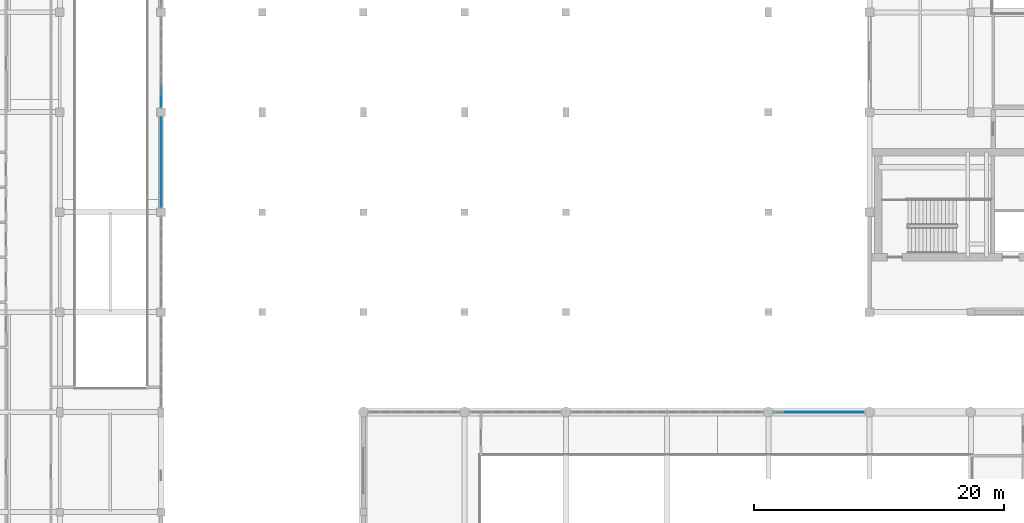
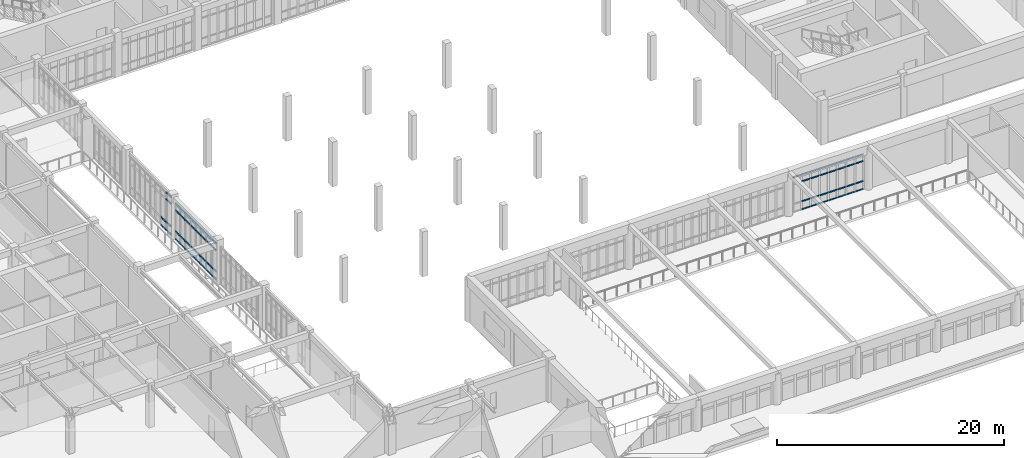
# One storey, part 22 of 61: 67 members, 3 elements without a shape of their own.
"""IFC4 building model written with IfcOpenShell, lengths in metres."""

from ifc_helpers import new_model, si_unit, direction, frame, origin, origin_2d, place, context, subcontext, project, spatial, rectangle, extrude, material, material_profile, profile_set, type_object, element, aggregate, save


model = new_model("IFC4")

# Units and contexts
model_context = context("Model", 3, precision=1e-05, world=origin(), true_north=direction((0.0, 1.0)))
body_context = subcontext(model_context, "Body", "Model", "MODEL_VIEW")
ifc_project = project(units=[si_unit("LENGTHUNIT", "METRE"), si_unit("AREAUNIT", "SQUARE_METRE"), si_unit("VOLUMEUNIT", "CUBIC_METRE"), si_unit("PLANEANGLEUNIT", "RADIAN"), si_unit("MASSUNIT", "GRAM", prefix="KILO")], contexts=[model_context])

# Site, building, storey
site_placement = place(None, origin())
site = spatial("IfcSite", under=ifc_project, at=site_placement, CompositionType="ELEMENT")
building_placement = place(site_placement, origin())
building = spatial("IfcBuilding", under=site, at=building_placement, Name="Tarnveldt Square Police Headquarters", CompositionType="ELEMENT")
storey_placement = place(building_placement, frame((0.0, 0.0, 5.39990234375)))
storey = spatial("IfcBuildingStorey", under=building, at=storey_placement, Name="L01", CompositionType="ELEMENT", Elevation=5.39990234375)

# Curtain wall, members
ifc_material_1 = material(Name="Triple-glazed low-e laminated vision glass", Category="glass")
curtain_wall_type_1 = type_object("IfcCurtainWallType", Name="CW-CT-727x379", PredefinedType="USERDEFINED", material=ifc_material_1)
curtain_wall_1_placement = place(storey_placement, origin())
curtain_wall_1 = element("IfcCurtainWall", 1, at=curtain_wall_1_placement, inside=storey, type_object=curtain_wall_type_1, Name="L01 Curtain Wall CW-L01-022", ObjectType="GLAZED CURTAIN WALL", PredefinedType="USERDEFINED")
ifc_material_2 = material(Name="Thermally broken anodised aluminium 6063-T6", Category="aluminium")
ifc_material_profile = material_profile(ifc_material_2, rectangle(XDim=0.074951171875, YDim=0.14990234375, at=origin_2d()), Name="CW-T75x150")
ifc_profile_set = profile_set([ifc_material_profile], Name="Thermally broken anodised aluminium 6063-T6")
member_type = type_object("IfcMemberType", Name="CWT-75x150", PredefinedType="USERDEFINED", material=ifc_profile_set)
member_1_placement = place(storey_placement, frame((97.68994140625, 48.0, 3.754638671875), z_axis=(1.0, 0.0, 0.0), x_axis=(0.0, 1.0, 0.0)))
member_1 = element("IfcMember", 2, at=member_1_placement, type_object=member_type, Name="CW-CT09 transom 1.4", ObjectType="TRANSOM", PredefinedType="USERDEFINED", context=body_context, shape_type="SweptSolid", body=[
    extrude(rectangle(XDim=0.074951171875, YDim=0.14990234375, at=origin_2d()), origin(), (0.0, 0.0, 1.0), 0.79638671875),
])
member_2_placement = place(storey_placement, frame((98.561279296875, 48.0, 0.03759765625), z_axis=(1.0, 0.0, 0.0), x_axis=(0.0, 1.0, 0.0)))
member_2 = element("IfcMember", 3, at=member_2_placement, type_object=member_type, Name="CW-CT09 transom 2.1", ObjectType="TRANSOM", PredefinedType="USERDEFINED", context=body_context, shape_type="SweptSolid", body=[
    extrude(rectangle(XDim=0.074951171875, YDim=0.14990234375, at=origin_2d()), origin(), (0.0, 0.0, 1.0), 0.833740234375),
])
member_3_placement = place(storey_placement, frame((98.561279296875, 48.0, 0.900146484375), z_axis=(1.0, 0.0, 0.0), x_axis=(0.0, 1.0, 0.0)))
member_3 = element("IfcMember", 4, at=member_3_placement, type_object=member_type, Name="CW-CT09 transom 2.2", ObjectType="TRANSOM", PredefinedType="USERDEFINED", context=body_context, shape_type="SweptSolid", body=[
    extrude(rectangle(XDim=0.074951171875, YDim=0.14990234375, at=origin_2d()), origin(), (0.0, 0.0, 1.0), 0.833740234375),
])
member_4_placement = place(storey_placement, frame((98.561279296875, 48.0, 3.0419921875), z_axis=(1.0, 0.0, 0.0), x_axis=(0.0, 1.0, 0.0)))
member_4 = element("IfcMember", 5, at=member_4_placement, type_object=member_type, Name="CW-CT09 transom 2.3", ObjectType="TRANSOM", PredefinedType="USERDEFINED", context=body_context, shape_type="SweptSolid", body=[
    extrude(rectangle(XDim=0.074951171875, YDim=0.14990234375, at=origin_2d()), origin(), (0.0, 0.0, 1.0), 0.833740234375),
])
member_5_placement = place(storey_placement, frame((98.561279296875, 48.0, 3.754638671875), z_axis=(1.0, 0.0, 0.0), x_axis=(0.0, 1.0, 0.0)))
member_5 = element("IfcMember", 6, at=member_5_placement, type_object=member_type, Name="CW-CT09 transom 2.4", ObjectType="TRANSOM", PredefinedType="USERDEFINED", context=body_context, shape_type="SweptSolid", body=[
    extrude(rectangle(XDim=0.074951171875, YDim=0.14990234375, at=origin_2d()), origin(), (0.0, 0.0, 1.0), 0.833740234375),
])
member_6_placement = place(storey_placement, frame((99.469970703125, 48.0, 0.03759765625), z_axis=(1.0, 0.0, 0.0), x_axis=(0.0, 1.0, 0.0)))
member_6 = element("IfcMember", 7, at=member_6_placement, type_object=member_type, Name="CW-CT09 transom 3.1", ObjectType="TRANSOM", PredefinedType="USERDEFINED", context=body_context, shape_type="SweptSolid", body=[
    extrude(rectangle(XDim=0.074951171875, YDim=0.14990234375, at=origin_2d()), origin(), (0.0, 0.0, 1.0), 0.833740234375),
])
member_7_placement = place(storey_placement, frame((99.469970703125, 48.0, 0.900146484375), z_axis=(1.0, 0.0, 0.0), x_axis=(0.0, 1.0, 0.0)))
member_7 = element("IfcMember", 8, at=member_7_placement, type_object=member_type, Name="CW-CT09 transom 3.2", ObjectType="TRANSOM", PredefinedType="USERDEFINED", context=body_context, shape_type="SweptSolid", body=[
    extrude(rectangle(XDim=0.074951171875, YDim=0.14990234375, at=origin_2d()), origin(), (0.0, 0.0, 1.0), 0.833740234375),
])
member_8_placement = place(storey_placement, frame((99.469970703125, 48.0, 3.0419921875), z_axis=(1.0, 0.0, 0.0), x_axis=(0.0, 1.0, 0.0)))
member_8 = element("IfcMember", 9, at=member_8_placement, type_object=member_type, Name="CW-CT09 transom 3.3", ObjectType="TRANSOM", PredefinedType="USERDEFINED", context=body_context, shape_type="SweptSolid", body=[
    extrude(rectangle(XDim=0.074951171875, YDim=0.14990234375, at=origin_2d()), origin(), (0.0, 0.0, 1.0), 0.833740234375),
])
member_9_placement = place(storey_placement, frame((99.469970703125, 48.0, 3.754638671875), z_axis=(1.0, 0.0, 0.0), x_axis=(0.0, 1.0, 0.0)))
member_9 = element("IfcMember", 10, at=member_9_placement, type_object=member_type, Name="CW-CT09 transom 3.4", ObjectType="TRANSOM", PredefinedType="USERDEFINED", context=body_context, shape_type="SweptSolid", body=[
    extrude(rectangle(XDim=0.074951171875, YDim=0.14990234375, at=origin_2d()), origin(), (0.0, 0.0, 1.0), 0.833740234375),
])
member_10_placement = place(storey_placement, frame((100.378662109375, 48.0, 0.03759765625), z_axis=(1.0, 0.0, 0.0), x_axis=(0.0, 1.0, 0.0)))
member_10 = element("IfcMember", 11, at=member_10_placement, type_object=member_type, Name="CW-CT09 transom 4.1", ObjectType="TRANSOM", PredefinedType="USERDEFINED", context=body_context, shape_type="SweptSolid", body=[
    extrude(rectangle(XDim=0.074951171875, YDim=0.14990234375, at=origin_2d()), origin(), (0.0, 0.0, 1.0), 0.833740234375),
])
member_11_placement = place(storey_placement, frame((100.378662109375, 48.0, 0.900146484375), z_axis=(1.0, 0.0, 0.0), x_axis=(0.0, 1.0, 0.0)))
member_11 = element("IfcMember", 12, at=member_11_placement, type_object=member_type, Name="CW-CT09 transom 4.2", ObjectType="TRANSOM", PredefinedType="USERDEFINED", context=body_context, shape_type="SweptSolid", body=[
    extrude(rectangle(XDim=0.074951171875, YDim=0.14990234375, at=origin_2d()), origin(), (0.0, 0.0, 1.0), 0.833740234375),
])
member_12_placement = place(storey_placement, frame((100.378662109375, 48.0, 3.0419921875), z_axis=(1.0, 0.0, 0.0), x_axis=(0.0, 1.0, 0.0)))
member_12 = element("IfcMember", 13, at=member_12_placement, type_object=member_type, Name="CW-CT09 transom 4.3", ObjectType="TRANSOM", PredefinedType="USERDEFINED", context=body_context, shape_type="SweptSolid", body=[
    extrude(rectangle(XDim=0.074951171875, YDim=0.14990234375, at=origin_2d()), origin(), (0.0, 0.0, 1.0), 0.833740234375),
])
member_13_placement = place(storey_placement, frame((100.378662109375, 48.0, 3.754638671875), z_axis=(1.0, 0.0, 0.0), x_axis=(0.0, 1.0, 0.0)))
member_13 = element("IfcMember", 14, at=member_13_placement, type_object=member_type, Name="CW-CT09 transom 4.4", ObjectType="TRANSOM", PredefinedType="USERDEFINED", context=body_context, shape_type="SweptSolid", body=[
    extrude(rectangle(XDim=0.074951171875, YDim=0.14990234375, at=origin_2d()), origin(), (0.0, 0.0, 1.0), 0.833740234375),
])
member_14_placement = place(storey_placement, frame((101.28759765625, 48.0, 0.03759765625), z_axis=(1.0, 0.0, 0.0), x_axis=(0.0, 1.0, 0.0)))
member_14 = element("IfcMember", 15, at=member_14_placement, type_object=member_type, Name="CW-CT09 transom 5.1", ObjectType="TRANSOM", PredefinedType="USERDEFINED", context=body_context, shape_type="SweptSolid", body=[
    extrude(rectangle(XDim=0.074951171875, YDim=0.14990234375, at=origin_2d()), origin(), (0.0, 0.0, 1.0), 0.833740234375),
])
member_15_placement = place(storey_placement, frame((101.28759765625, 48.0, 0.900146484375), z_axis=(1.0, 0.0, 0.0), x_axis=(0.0, 1.0, 0.0)))
member_15 = element("IfcMember", 16, at=member_15_placement, type_object=member_type, Name="CW-CT09 transom 5.2", ObjectType="TRANSOM", PredefinedType="USERDEFINED", context=body_context, shape_type="SweptSolid", body=[
    extrude(rectangle(XDim=0.074951171875, YDim=0.14990234375, at=origin_2d()), origin(), (0.0, 0.0, 1.0), 0.833740234375),
])
member_16_placement = place(storey_placement, frame((101.28759765625, 48.0, 3.0419921875), z_axis=(1.0, 0.0, 0.0), x_axis=(0.0, 1.0, 0.0)))
member_16 = element("IfcMember", 17, at=member_16_placement, type_object=member_type, Name="CW-CT09 transom 5.3", ObjectType="TRANSOM", PredefinedType="USERDEFINED", context=body_context, shape_type="SweptSolid", body=[
    extrude(rectangle(XDim=0.074951171875, YDim=0.14990234375, at=origin_2d()), origin(), (0.0, 0.0, 1.0), 0.833740234375),
])
member_17_placement = place(storey_placement, frame((101.28759765625, 48.0, 3.754638671875), z_axis=(1.0, 0.0, 0.0), x_axis=(0.0, 1.0, 0.0)))
member_17 = element("IfcMember", 18, at=member_17_placement, type_object=member_type, Name="CW-CT09 transom 5.4", ObjectType="TRANSOM", PredefinedType="USERDEFINED", context=body_context, shape_type="SweptSolid", body=[
    extrude(rectangle(XDim=0.074951171875, YDim=0.14990234375, at=origin_2d()), origin(), (0.0, 0.0, 1.0), 0.833740234375),
])
member_18_placement = place(storey_placement, frame((102.1962890625, 48.0, 0.03759765625), z_axis=(1.0, 0.0, 0.0), x_axis=(0.0, 1.0, 0.0)))
member_18 = element("IfcMember", 19, at=member_18_placement, type_object=member_type, Name="CW-CT09 transom 6.1", ObjectType="TRANSOM", PredefinedType="USERDEFINED", context=body_context, shape_type="SweptSolid", body=[
    extrude(rectangle(XDim=0.074951171875, YDim=0.14990234375, at=origin_2d()), origin(), (0.0, 0.0, 1.0), 0.833740234375),
])
member_19_placement = place(storey_placement, frame((102.1962890625, 48.0, 0.900146484375), z_axis=(1.0, 0.0, 0.0), x_axis=(0.0, 1.0, 0.0)))
member_19 = element("IfcMember", 20, at=member_19_placement, type_object=member_type, Name="CW-CT09 transom 6.2", ObjectType="TRANSOM", PredefinedType="USERDEFINED", context=body_context, shape_type="SweptSolid", body=[
    extrude(rectangle(XDim=0.074951171875, YDim=0.14990234375, at=origin_2d()), origin(), (0.0, 0.0, 1.0), 0.833740234375),
])
member_20_placement = place(storey_placement, frame((102.1962890625, 48.0, 3.0419921875), z_axis=(1.0, 0.0, 0.0), x_axis=(0.0, 1.0, 0.0)))
member_20 = element("IfcMember", 21, at=member_20_placement, type_object=member_type, Name="CW-CT09 transom 6.3", ObjectType="TRANSOM", PredefinedType="USERDEFINED", context=body_context, shape_type="SweptSolid", body=[
    extrude(rectangle(XDim=0.074951171875, YDim=0.14990234375, at=origin_2d()), origin(), (0.0, 0.0, 1.0), 0.833740234375),
])
member_21_placement = place(storey_placement, frame((102.1962890625, 48.0, 3.754638671875), z_axis=(1.0, 0.0, 0.0), x_axis=(0.0, 1.0, 0.0)))
member_21 = element("IfcMember", 22, at=member_21_placement, type_object=member_type, Name="CW-CT09 transom 6.4", ObjectType="TRANSOM", PredefinedType="USERDEFINED", context=body_context, shape_type="SweptSolid", body=[
    extrude(rectangle(XDim=0.074951171875, YDim=0.14990234375, at=origin_2d()), origin(), (0.0, 0.0, 1.0), 0.833740234375),
])
member_22_placement = place(storey_placement, frame((103.10498046875, 48.0, 0.03759765625), z_axis=(1.0, 0.0, 0.0), x_axis=(0.0, 1.0, 0.0)))
member_22 = element("IfcMember", 23, at=member_22_placement, type_object=member_type, Name="CW-CT09 transom 7.1", ObjectType="TRANSOM", PredefinedType="USERDEFINED", context=body_context, shape_type="SweptSolid", body=[
    extrude(rectangle(XDim=0.074951171875, YDim=0.14990234375, at=origin_2d()), origin(), (0.0, 0.0, 1.0), 0.833740234375),
])
member_23_placement = place(storey_placement, frame((103.10498046875, 48.0, 0.900146484375), z_axis=(1.0, 0.0, 0.0), x_axis=(0.0, 1.0, 0.0)))
member_23 = element("IfcMember", 24, at=member_23_placement, type_object=member_type, Name="CW-CT09 transom 7.2", ObjectType="TRANSOM", PredefinedType="USERDEFINED", context=body_context, shape_type="SweptSolid", body=[
    extrude(rectangle(XDim=0.074951171875, YDim=0.14990234375, at=origin_2d()), origin(), (0.0, 0.0, 1.0), 0.833740234375),
])
member_24_placement = place(storey_placement, frame((103.10498046875, 48.0, 3.0419921875), z_axis=(1.0, 0.0, 0.0), x_axis=(0.0, 1.0, 0.0)))
member_24 = element("IfcMember", 25, at=member_24_placement, type_object=member_type, Name="CW-CT09 transom 7.3", ObjectType="TRANSOM", PredefinedType="USERDEFINED", context=body_context, shape_type="SweptSolid", body=[
    extrude(rectangle(XDim=0.074951171875, YDim=0.14990234375, at=origin_2d()), origin(), (0.0, 0.0, 1.0), 0.833740234375),
])
member_25_placement = place(storey_placement, frame((103.10498046875, 48.0, 3.754638671875), z_axis=(1.0, 0.0, 0.0), x_axis=(0.0, 1.0, 0.0)))
member_25 = element("IfcMember", 26, at=member_25_placement, type_object=member_type, Name="CW-CT09 transom 7.4", ObjectType="TRANSOM", PredefinedType="USERDEFINED", context=body_context, shape_type="SweptSolid", body=[
    extrude(rectangle(XDim=0.074951171875, YDim=0.14990234375, at=origin_2d()), origin(), (0.0, 0.0, 1.0), 0.833740234375),
])
member_26_placement = place(storey_placement, frame((104.013671875, 48.0, 0.03759765625), z_axis=(1.0, 0.0, 0.0), x_axis=(0.0, 1.0, 0.0)))
member_26 = element("IfcMember", 27, at=member_26_placement, type_object=member_type, Name="CW-CT09 transom 8.1", ObjectType="TRANSOM", PredefinedType="USERDEFINED", context=body_context, shape_type="SweptSolid", body=[
    extrude(rectangle(XDim=0.074951171875, YDim=0.14990234375, at=origin_2d()), origin(), (0.0, 0.0, 1.0), 0.79638671875),
])
member_27_placement = place(storey_placement, frame((104.013671875, 48.0, 0.900146484375), z_axis=(1.0, 0.0, 0.0), x_axis=(0.0, 1.0, 0.0)))
member_27 = element("IfcMember", 28, at=member_27_placement, type_object=member_type, Name="CW-CT09 transom 8.2", ObjectType="TRANSOM", PredefinedType="USERDEFINED", context=body_context, shape_type="SweptSolid", body=[
    extrude(rectangle(XDim=0.074951171875, YDim=0.14990234375, at=origin_2d()), origin(), (0.0, 0.0, 1.0), 0.79638671875),
])
member_28_placement = place(storey_placement, frame((104.013671875, 48.0, 3.0419921875), z_axis=(1.0, 0.0, 0.0), x_axis=(0.0, 1.0, 0.0)))
member_28 = element("IfcMember", 29, at=member_28_placement, type_object=member_type, Name="CW-CT09 transom 8.3", ObjectType="TRANSOM", PredefinedType="USERDEFINED", context=body_context, shape_type="SweptSolid", body=[
    extrude(rectangle(XDim=0.074951171875, YDim=0.14990234375, at=origin_2d()), origin(), (0.0, 0.0, 1.0), 0.79638671875),
])
member_29_placement = place(storey_placement, frame((104.013671875, 48.0, 3.754638671875), z_axis=(1.0, 0.0, 0.0), x_axis=(0.0, 1.0, 0.0)))
member_29 = element("IfcMember", 30, at=member_29_placement, type_object=member_type, Name="CW-CT09 transom 8.4", ObjectType="TRANSOM", PredefinedType="USERDEFINED", context=body_context, shape_type="SweptSolid", body=[
    extrude(rectangle(XDim=0.074951171875, YDim=0.14990234375, at=origin_2d()), origin(), (0.0, 0.0, 1.0), 0.79638671875),
])
aggregate(curtain_wall_1, [member_1, member_2, member_3, member_4, member_5, member_6, member_7, member_8, member_9, member_10, member_11, member_12, member_13, member_14, member_15, member_16, member_17, member_18, member_19, member_20, member_21, member_22, member_23, member_24, member_25, member_26, member_27, member_28, member_29])

curtain_wall_type_2 = type_object("IfcCurtainWallType", Name="CW-WG-727x391", PredefinedType="USERDEFINED", material=ifc_material_1)
curtain_wall_2_placement = place(storey_placement, origin())
curtain_wall_2 = element("IfcCurtainWall", 31, at=curtain_wall_2_placement, inside=storey, type_object=curtain_wall_type_2, Name="L01 Curtain Wall CW-L01-069", ObjectType="GLAZED CURTAIN WALL", PredefinedType="USERDEFINED")
member_30_placement = place(storey_placement, frame((48.60009765625, 64.43994140625, 0.03759765625), z_axis=(0.0, 1.0, 0.0), x_axis=(-1.0, 0.0, 0.0)))
member_30 = element("IfcMember", 32, at=member_30_placement, type_object=member_type, Name="CW-WG30 transom 1.1", ObjectType="TRANSOM", PredefinedType="USERDEFINED", context=body_context, shape_type="SweptSolid", body=[
    extrude(rectangle(XDim=0.074951171875, YDim=0.14990234375, at=origin_2d()), origin(), (0.0, 0.0, 1.0), 0.79638671875),
])
member_31_placement = place(storey_placement, frame((48.60009765625, 64.43994140625, 0.900146484375), z_axis=(0.0, 1.0, 0.0), x_axis=(-1.0, 0.0, 0.0)))
member_31 = element("IfcMember", 33, at=member_31_placement, type_object=member_type, Name="CW-WG30 transom 1.2", ObjectType="TRANSOM", PredefinedType="USERDEFINED", context=body_context, shape_type="SweptSolid", body=[
    extrude(rectangle(XDim=0.074951171875, YDim=0.14990234375, at=origin_2d()), origin(), (0.0, 0.0, 1.0), 0.79638671875),
])
member_32_placement = place(storey_placement, frame((48.60009765625, 64.43994140625, 3.162109375), z_axis=(0.0, 1.0, 0.0), x_axis=(-1.0, 0.0, 0.0)))
member_32 = element("IfcMember", 34, at=member_32_placement, type_object=member_type, Name="CW-WG30 transom 1.3", ObjectType="TRANSOM", PredefinedType="USERDEFINED", context=body_context, shape_type="SweptSolid", body=[
    extrude(rectangle(XDim=0.074951171875, YDim=0.14990234375, at=origin_2d()), origin(), (0.0, 0.0, 1.0), 0.79638671875),
])
member_33_placement = place(storey_placement, frame((48.60009765625, 64.43994140625, 3.87451171875), z_axis=(0.0, 1.0, 0.0), x_axis=(-1.0, 0.0, 0.0)))
member_33 = element("IfcMember", 35, at=member_33_placement, type_object=member_type, Name="CW-WG30 transom 1.4", ObjectType="TRANSOM", PredefinedType="USERDEFINED", context=body_context, shape_type="SweptSolid", body=[
    extrude(rectangle(XDim=0.074951171875, YDim=0.14990234375, at=origin_2d()), origin(), (0.0, 0.0, 1.0), 0.79638671875),
])
member_34_placement = place(storey_placement, frame((48.60009765625, 65.311279296875, 0.03759765625), z_axis=(0.0, 1.0, 0.0), x_axis=(-1.0, 0.0, 0.0)))
member_34 = element("IfcMember", 36, at=member_34_placement, type_object=member_type, Name="CW-WG30 transom 2.1", ObjectType="TRANSOM", PredefinedType="USERDEFINED", context=body_context, shape_type="SweptSolid", body=[
    extrude(rectangle(XDim=0.074951171875, YDim=0.14990234375, at=origin_2d()), origin(), (0.0, 0.0, 1.0), 0.833740234375),
])
member_35_placement = place(storey_placement, frame((48.60009765625, 65.311279296875, 0.900146484375), z_axis=(0.0, 1.0, 0.0), x_axis=(-1.0, 0.0, 0.0)))
member_35 = element("IfcMember", 37, at=member_35_placement, type_object=member_type, Name="CW-WG30 transom 2.2", ObjectType="TRANSOM", PredefinedType="USERDEFINED", context=body_context, shape_type="SweptSolid", body=[
    extrude(rectangle(XDim=0.074951171875, YDim=0.14990234375, at=origin_2d()), origin(), (0.0, 0.0, 1.0), 0.833740234375),
])
member_36_placement = place(storey_placement, frame((48.60009765625, 65.311279296875, 3.162109375), z_axis=(0.0, 1.0, 0.0), x_axis=(-1.0, 0.0, 0.0)))
member_36 = element("IfcMember", 38, at=member_36_placement, type_object=member_type, Name="CW-WG30 transom 2.3", ObjectType="TRANSOM", PredefinedType="USERDEFINED", context=body_context, shape_type="SweptSolid", body=[
    extrude(rectangle(XDim=0.074951171875, YDim=0.14990234375, at=origin_2d()), origin(), (0.0, 0.0, 1.0), 0.833740234375),
])
member_37_placement = place(storey_placement, frame((48.60009765625, 65.311279296875, 3.87451171875), z_axis=(0.0, 1.0, 0.0), x_axis=(-1.0, 0.0, 0.0)))
member_37 = element("IfcMember", 39, at=member_37_placement, type_object=member_type, Name="CW-WG30 transom 2.4", ObjectType="TRANSOM", PredefinedType="USERDEFINED", context=body_context, shape_type="SweptSolid", body=[
    extrude(rectangle(XDim=0.074951171875, YDim=0.14990234375, at=origin_2d()), origin(), (0.0, 0.0, 1.0), 0.833740234375),
])
member_38_placement = place(storey_placement, frame((48.60009765625, 66.219970703125, 0.03759765625), z_axis=(0.0, 1.0, 0.0), x_axis=(-1.0, 0.0, 0.0)))
member_38 = element("IfcMember", 40, at=member_38_placement, type_object=member_type, Name="CW-WG30 transom 3.1", ObjectType="TRANSOM", PredefinedType="USERDEFINED", context=body_context, shape_type="SweptSolid", body=[
    extrude(rectangle(XDim=0.074951171875, YDim=0.14990234375, at=origin_2d()), origin(), (0.0, 0.0, 1.0), 0.833740234375),
])
member_39_placement = place(storey_placement, frame((48.60009765625, 66.219970703125, 0.900146484375), z_axis=(0.0, 1.0, 0.0), x_axis=(-1.0, 0.0, 0.0)))
member_39 = element("IfcMember", 41, at=member_39_placement, type_object=member_type, Name="CW-WG30 transom 3.2", ObjectType="TRANSOM", PredefinedType="USERDEFINED", context=body_context, shape_type="SweptSolid", body=[
    extrude(rectangle(XDim=0.074951171875, YDim=0.14990234375, at=origin_2d()), origin(), (0.0, 0.0, 1.0), 0.833740234375),
])
member_40_placement = place(storey_placement, frame((48.60009765625, 66.219970703125, 3.162109375), z_axis=(0.0, 1.0, 0.0), x_axis=(-1.0, 0.0, 0.0)))
member_40 = element("IfcMember", 42, at=member_40_placement, type_object=member_type, Name="CW-WG30 transom 3.3", ObjectType="TRANSOM", PredefinedType="USERDEFINED", context=body_context, shape_type="SweptSolid", body=[
    extrude(rectangle(XDim=0.074951171875, YDim=0.14990234375, at=origin_2d()), origin(), (0.0, 0.0, 1.0), 0.833740234375),
])
member_41_placement = place(storey_placement, frame((48.60009765625, 66.219970703125, 3.87451171875), z_axis=(0.0, 1.0, 0.0), x_axis=(-1.0, 0.0, 0.0)))
member_41 = element("IfcMember", 43, at=member_41_placement, type_object=member_type, Name="CW-WG30 transom 3.4", ObjectType="TRANSOM", PredefinedType="USERDEFINED", context=body_context, shape_type="SweptSolid", body=[
    extrude(rectangle(XDim=0.074951171875, YDim=0.14990234375, at=origin_2d()), origin(), (0.0, 0.0, 1.0), 0.833740234375),
])
member_42_placement = place(storey_placement, frame((48.60009765625, 67.128662109375, 0.03759765625), z_axis=(0.0, 1.0, 0.0), x_axis=(-1.0, 0.0, 0.0)))
member_42 = element("IfcMember", 44, at=member_42_placement, type_object=member_type, Name="CW-WG30 transom 4.1", ObjectType="TRANSOM", PredefinedType="USERDEFINED", context=body_context, shape_type="SweptSolid", body=[
    extrude(rectangle(XDim=0.074951171875, YDim=0.14990234375, at=origin_2d()), origin(), (0.0, 0.0, 1.0), 0.833740234375),
])
member_43_placement = place(storey_placement, frame((48.60009765625, 67.128662109375, 0.900146484375), z_axis=(0.0, 1.0, 0.0), x_axis=(-1.0, 0.0, 0.0)))
member_43 = element("IfcMember", 45, at=member_43_placement, type_object=member_type, Name="CW-WG30 transom 4.2", ObjectType="TRANSOM", PredefinedType="USERDEFINED", context=body_context, shape_type="SweptSolid", body=[
    extrude(rectangle(XDim=0.074951171875, YDim=0.14990234375, at=origin_2d()), origin(), (0.0, 0.0, 1.0), 0.833740234375),
])
member_44_placement = place(storey_placement, frame((48.60009765625, 67.128662109375, 3.162109375), z_axis=(0.0, 1.0, 0.0), x_axis=(-1.0, 0.0, 0.0)))
member_44 = element("IfcMember", 46, at=member_44_placement, type_object=member_type, Name="CW-WG30 transom 4.3", ObjectType="TRANSOM", PredefinedType="USERDEFINED", context=body_context, shape_type="SweptSolid", body=[
    extrude(rectangle(XDim=0.074951171875, YDim=0.14990234375, at=origin_2d()), origin(), (0.0, 0.0, 1.0), 0.833740234375),
])
member_45_placement = place(storey_placement, frame((48.60009765625, 67.128662109375, 3.87451171875), z_axis=(0.0, 1.0, 0.0), x_axis=(-1.0, 0.0, 0.0)))
member_45 = element("IfcMember", 47, at=member_45_placement, type_object=member_type, Name="CW-WG30 transom 4.4", ObjectType="TRANSOM", PredefinedType="USERDEFINED", context=body_context, shape_type="SweptSolid", body=[
    extrude(rectangle(XDim=0.074951171875, YDim=0.14990234375, at=origin_2d()), origin(), (0.0, 0.0, 1.0), 0.833740234375),
])
member_46_placement = place(storey_placement, frame((48.60009765625, 68.03759765625, 0.03759765625), z_axis=(0.0, 1.0, 0.0), x_axis=(-1.0, 0.0, 0.0)))
member_46 = element("IfcMember", 48, at=member_46_placement, type_object=member_type, Name="CW-WG30 transom 5.1", ObjectType="TRANSOM", PredefinedType="USERDEFINED", context=body_context, shape_type="SweptSolid", body=[
    extrude(rectangle(XDim=0.074951171875, YDim=0.14990234375, at=origin_2d()), origin(), (0.0, 0.0, 1.0), 0.833740234375),
])
member_47_placement = place(storey_placement, frame((48.60009765625, 68.03759765625, 0.900146484375), z_axis=(0.0, 1.0, 0.0), x_axis=(-1.0, 0.0, 0.0)))
member_47 = element("IfcMember", 49, at=member_47_placement, type_object=member_type, Name="CW-WG30 transom 5.2", ObjectType="TRANSOM", PredefinedType="USERDEFINED", context=body_context, shape_type="SweptSolid", body=[
    extrude(rectangle(XDim=0.074951171875, YDim=0.14990234375, at=origin_2d()), origin(), (0.0, 0.0, 1.0), 0.833740234375),
])
member_48_placement = place(storey_placement, frame((48.60009765625, 68.03759765625, 3.162109375), z_axis=(0.0, 1.0, 0.0), x_axis=(-1.0, 0.0, 0.0)))
member_48 = element("IfcMember", 50, at=member_48_placement, type_object=member_type, Name="CW-WG30 transom 5.3", ObjectType="TRANSOM", PredefinedType="USERDEFINED", context=body_context, shape_type="SweptSolid", body=[
    extrude(rectangle(XDim=0.074951171875, YDim=0.14990234375, at=origin_2d()), origin(), (0.0, 0.0, 1.0), 0.833740234375),
])
member_49_placement = place(storey_placement, frame((48.60009765625, 68.03759765625, 3.87451171875), z_axis=(0.0, 1.0, 0.0), x_axis=(-1.0, 0.0, 0.0)))
member_49 = element("IfcMember", 51, at=member_49_placement, type_object=member_type, Name="CW-WG30 transom 5.4", ObjectType="TRANSOM", PredefinedType="USERDEFINED", context=body_context, shape_type="SweptSolid", body=[
    extrude(rectangle(XDim=0.074951171875, YDim=0.14990234375, at=origin_2d()), origin(), (0.0, 0.0, 1.0), 0.833740234375),
])
member_50_placement = place(storey_placement, frame((48.60009765625, 68.9462890625, 0.03759765625), z_axis=(0.0, 1.0, 0.0), x_axis=(-1.0, 0.0, 0.0)))
member_50 = element("IfcMember", 52, at=member_50_placement, type_object=member_type, Name="CW-WG30 transom 6.1", ObjectType="TRANSOM", PredefinedType="USERDEFINED", context=body_context, shape_type="SweptSolid", body=[
    extrude(rectangle(XDim=0.074951171875, YDim=0.14990234375, at=origin_2d()), origin(), (0.0, 0.0, 1.0), 0.833740234375),
])
member_51_placement = place(storey_placement, frame((48.60009765625, 68.9462890625, 0.900146484375), z_axis=(0.0, 1.0, 0.0), x_axis=(-1.0, 0.0, 0.0)))
member_51 = element("IfcMember", 53, at=member_51_placement, type_object=member_type, Name="CW-WG30 transom 6.2", ObjectType="TRANSOM", PredefinedType="USERDEFINED", context=body_context, shape_type="SweptSolid", body=[
    extrude(rectangle(XDim=0.074951171875, YDim=0.14990234375, at=origin_2d()), origin(), (0.0, 0.0, 1.0), 0.833740234375),
])
member_52_placement = place(storey_placement, frame((48.60009765625, 68.9462890625, 3.162109375), z_axis=(0.0, 1.0, 0.0), x_axis=(-1.0, 0.0, 0.0)))
member_52 = element("IfcMember", 54, at=member_52_placement, type_object=member_type, Name="CW-WG30 transom 6.3", ObjectType="TRANSOM", PredefinedType="USERDEFINED", context=body_context, shape_type="SweptSolid", body=[
    extrude(rectangle(XDim=0.074951171875, YDim=0.14990234375, at=origin_2d()), origin(), (0.0, 0.0, 1.0), 0.833740234375),
])
member_53_placement = place(storey_placement, frame((48.60009765625, 68.9462890625, 3.87451171875), z_axis=(0.0, 1.0, 0.0), x_axis=(-1.0, 0.0, 0.0)))
member_53 = element("IfcMember", 55, at=member_53_placement, type_object=member_type, Name="CW-WG30 transom 6.4", ObjectType="TRANSOM", PredefinedType="USERDEFINED", context=body_context, shape_type="SweptSolid", body=[
    extrude(rectangle(XDim=0.074951171875, YDim=0.14990234375, at=origin_2d()), origin(), (0.0, 0.0, 1.0), 0.833740234375),
])
member_54_placement = place(storey_placement, frame((48.60009765625, 69.85498046875, 0.03759765625), z_axis=(0.0, 1.0, 0.0), x_axis=(-1.0, 0.0, 0.0)))
member_54 = element("IfcMember", 56, at=member_54_placement, type_object=member_type, Name="CW-WG30 transom 7.1", ObjectType="TRANSOM", PredefinedType="USERDEFINED", context=body_context, shape_type="SweptSolid", body=[
    extrude(rectangle(XDim=0.074951171875, YDim=0.14990234375, at=origin_2d()), origin(), (0.0, 0.0, 1.0), 0.833740234375),
])
member_55_placement = place(storey_placement, frame((48.60009765625, 69.85498046875, 0.900146484375), z_axis=(0.0, 1.0, 0.0), x_axis=(-1.0, 0.0, 0.0)))
member_55 = element("IfcMember", 57, at=member_55_placement, type_object=member_type, Name="CW-WG30 transom 7.2", ObjectType="TRANSOM", PredefinedType="USERDEFINED", context=body_context, shape_type="SweptSolid", body=[
    extrude(rectangle(XDim=0.074951171875, YDim=0.14990234375, at=origin_2d()), origin(), (0.0, 0.0, 1.0), 0.833740234375),
])
member_56_placement = place(storey_placement, frame((48.60009765625, 69.85498046875, 3.162109375), z_axis=(0.0, 1.0, 0.0), x_axis=(-1.0, 0.0, 0.0)))
member_56 = element("IfcMember", 58, at=member_56_placement, type_object=member_type, Name="CW-WG30 transom 7.3", ObjectType="TRANSOM", PredefinedType="USERDEFINED", context=body_context, shape_type="SweptSolid", body=[
    extrude(rectangle(XDim=0.074951171875, YDim=0.14990234375, at=origin_2d()), origin(), (0.0, 0.0, 1.0), 0.833740234375),
])
member_57_placement = place(storey_placement, frame((48.60009765625, 69.85498046875, 3.87451171875), z_axis=(0.0, 1.0, 0.0), x_axis=(-1.0, 0.0, 0.0)))
member_57 = element("IfcMember", 59, at=member_57_placement, type_object=member_type, Name="CW-WG30 transom 7.4", ObjectType="TRANSOM", PredefinedType="USERDEFINED", context=body_context, shape_type="SweptSolid", body=[
    extrude(rectangle(XDim=0.074951171875, YDim=0.14990234375, at=origin_2d()), origin(), (0.0, 0.0, 1.0), 0.833740234375),
])
member_58_placement = place(storey_placement, frame((48.60009765625, 70.763671875, 0.03759765625), z_axis=(0.0, 1.0, 0.0), x_axis=(-1.0, 0.0, 0.0)))
member_58 = element("IfcMember", 60, at=member_58_placement, type_object=member_type, Name="CW-WG30 transom 8.1", ObjectType="TRANSOM", PredefinedType="USERDEFINED", context=body_context, shape_type="SweptSolid", body=[
    extrude(rectangle(XDim=0.074951171875, YDim=0.14990234375, at=origin_2d()), origin(), (0.0, 0.0, 1.0), 0.79638671875),
])
member_59_placement = place(storey_placement, frame((48.60009765625, 70.763671875, 0.900146484375), z_axis=(0.0, 1.0, 0.0), x_axis=(-1.0, 0.0, 0.0)))
member_59 = element("IfcMember", 61, at=member_59_placement, type_object=member_type, Name="CW-WG30 transom 8.2", ObjectType="TRANSOM", PredefinedType="USERDEFINED", context=body_context, shape_type="SweptSolid", body=[
    extrude(rectangle(XDim=0.074951171875, YDim=0.14990234375, at=origin_2d()), origin(), (0.0, 0.0, 1.0), 0.79638671875),
])
member_60_placement = place(storey_placement, frame((48.60009765625, 70.763671875, 3.162109375), z_axis=(0.0, 1.0, 0.0), x_axis=(-1.0, 0.0, 0.0)))
member_60 = element("IfcMember", 62, at=member_60_placement, type_object=member_type, Name="CW-WG30 transom 8.3", ObjectType="TRANSOM", PredefinedType="USERDEFINED", context=body_context, shape_type="SweptSolid", body=[
    extrude(rectangle(XDim=0.074951171875, YDim=0.14990234375, at=origin_2d()), origin(), (0.0, 0.0, 1.0), 0.79638671875),
])
member_61_placement = place(storey_placement, frame((48.60009765625, 70.763671875, 3.87451171875), z_axis=(0.0, 1.0, 0.0), x_axis=(-1.0, 0.0, 0.0)))
member_61 = element("IfcMember", 63, at=member_61_placement, type_object=member_type, Name="CW-WG30 transom 8.4", ObjectType="TRANSOM", PredefinedType="USERDEFINED", context=body_context, shape_type="SweptSolid", body=[
    extrude(rectangle(XDim=0.074951171875, YDim=0.14990234375, at=origin_2d()), origin(), (0.0, 0.0, 1.0), 0.79638671875),
])
aggregate(curtain_wall_2, [member_30, member_31, member_32, member_33, member_34, member_35, member_36, member_37, member_38, member_39, member_40, member_41, member_42, member_43, member_44, member_45, member_46, member_47, member_48, member_49, member_50, member_51, member_52, member_53, member_54, member_55, member_56, member_57, member_58, member_59, member_60, member_61])

curtain_wall_type_3 = type_object("IfcCurtainWallType", Name="CW-WG-727x409", PredefinedType="USERDEFINED", material=ifc_material_1)
curtain_wall_3_placement = place(storey_placement, origin())
curtain_wall_3 = element("IfcCurtainWall", 64, at=curtain_wall_3_placement, inside=storey, type_object=curtain_wall_type_3, Name="L01 Curtain Wall CW-L01-070", ObjectType="GLAZED CURTAIN WALL", PredefinedType="USERDEFINED")
member_62_placement = place(storey_placement, frame((48.60009765625, 72.43994140625, 0.03759765625), z_axis=(0.0, 1.0, 0.0), x_axis=(-1.0, 0.0, 0.0)))
member_62 = element("IfcMember", 65, at=member_62_placement, type_object=member_type, Name="CW-WG29 transom 1.1", ObjectType="TRANSOM", PredefinedType="USERDEFINED", context=body_context, shape_type="SweptSolid", body=[
    extrude(rectangle(XDim=0.074951171875, YDim=0.14990234375, at=origin_2d()), origin(), (0.0, 0.0, 1.0), 0.79638671875),
])
member_63_placement = place(storey_placement, frame((48.60009765625, 72.43994140625, 0.900146484375), z_axis=(0.0, 1.0, 0.0), x_axis=(-1.0, 0.0, 0.0)))
member_63 = element("IfcMember", 66, at=member_63_placement, type_object=member_type, Name="CW-WG29 transom 1.2", ObjectType="TRANSOM", PredefinedType="USERDEFINED", context=body_context, shape_type="SweptSolid", body=[
    extrude(rectangle(XDim=0.074951171875, YDim=0.14990234375, at=origin_2d()), origin(), (0.0, 0.0, 1.0), 0.79638671875),
])
member_64_placement = place(storey_placement, frame((48.60009765625, 72.43994140625, 3.34521484375), z_axis=(0.0, 1.0, 0.0), x_axis=(-1.0, 0.0, 0.0)))
member_64 = element("IfcMember", 67, at=member_64_placement, type_object=member_type, Name="CW-WG29 transom 1.3", ObjectType="TRANSOM", PredefinedType="USERDEFINED", context=body_context, shape_type="SweptSolid", body=[
    extrude(rectangle(XDim=0.074951171875, YDim=0.14990234375, at=origin_2d()), origin(), (0.0, 0.0, 1.0), 0.79638671875),
])
member_65_placement = place(storey_placement, frame((48.60009765625, 72.43994140625, 4.0576171875), z_axis=(0.0, 1.0, 0.0), x_axis=(-1.0, 0.0, 0.0)))
member_65 = element("IfcMember", 68, at=member_65_placement, type_object=member_type, Name="CW-WG29 transom 1.4", ObjectType="TRANSOM", PredefinedType="USERDEFINED", context=body_context, shape_type="SweptSolid", body=[
    extrude(rectangle(XDim=0.074951171875, YDim=0.14990234375, at=origin_2d()), origin(), (0.0, 0.0, 1.0), 0.79638671875),
])
member_66_placement = place(storey_placement, frame((48.60009765625, 73.311279296875, 0.03759765625), z_axis=(0.0, 1.0, 0.0), x_axis=(-1.0, 0.0, 0.0)))
member_66 = element("IfcMember", 69, at=member_66_placement, type_object=member_type, Name="CW-WG29 transom 2.1", ObjectType="TRANSOM", PredefinedType="USERDEFINED", context=body_context, shape_type="SweptSolid", body=[
    extrude(rectangle(XDim=0.074951171875, YDim=0.14990234375, at=origin_2d()), origin(), (0.0, 0.0, 1.0), 0.833740234375),
])
member_67_placement = place(storey_placement, frame((48.60009765625, 73.311279296875, 0.900146484375), z_axis=(0.0, 1.0, 0.0), x_axis=(-1.0, 0.0, 0.0)))
member_67 = element("IfcMember", 70, at=member_67_placement, type_object=member_type, Name="CW-WG29 transom 2.2", ObjectType="TRANSOM", PredefinedType="USERDEFINED", context=body_context, shape_type="SweptSolid", body=[
    extrude(rectangle(XDim=0.074951171875, YDim=0.14990234375, at=origin_2d()), origin(), (0.0, 0.0, 1.0), 0.833740234375),
])
aggregate(curtain_wall_3, [member_62, member_63, member_64, member_65, member_66, member_67])

save(model, "model.ifc")
